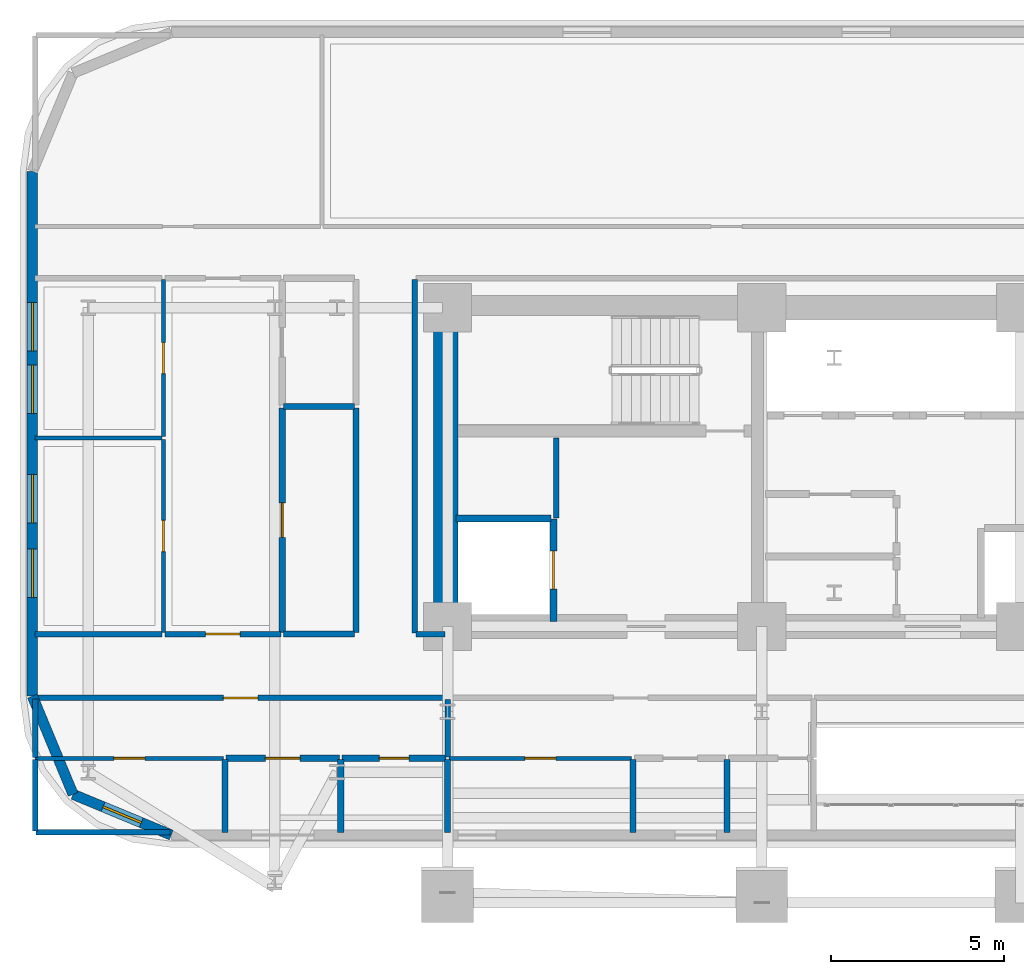
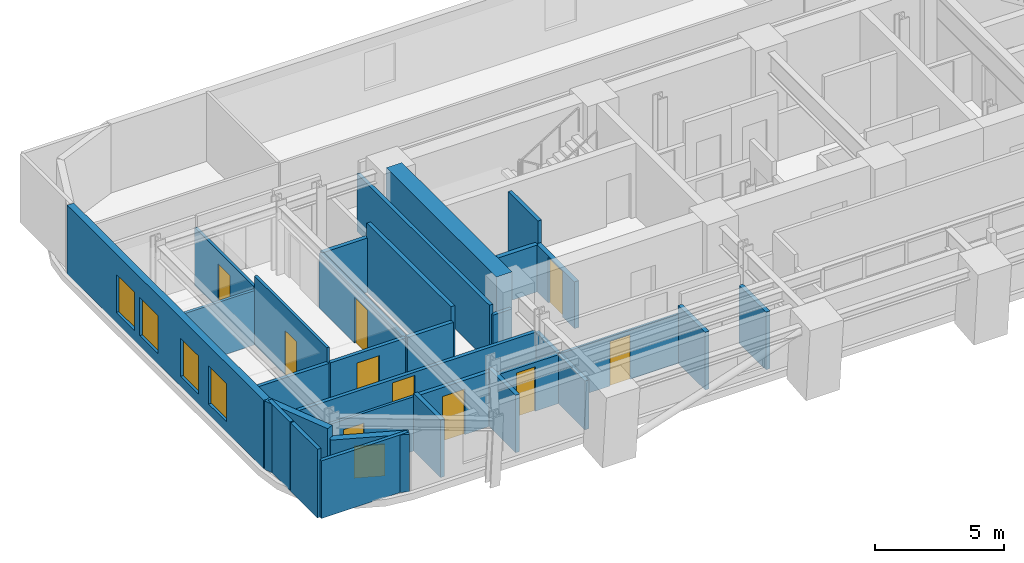
# One storey, part 7 of 15: 32 walls, 10 doors, 5 windows, 15 openings.
"""IFC4 building model written with IfcOpenShell, lengths in metres."""

import ifcopenshell
import ifcopenshell.guid

model = None  # the IFC model being written
_history = None  # IfcOwnerHistory: only IFC2X3 demands one
_inside = {}  # id of a spatial element -> (the spatial element, [elements in it])
_under = {}  # id of a project, library or spatial element -> (it, [spatial elements below it])
_declared = {}  # id of a project -> (the project, [libraries it declares])
_typed = {}  # id of a type object -> (the type object, [elements of that type])
_made_of = {}  # id of a material, layer set ... -> (it, [elements and type objects made of it])


def new_model(schema):
    """Start an empty IFC model of exactly this schema.

    Asked for "IFC4X3", IfcOpenShell would pick the latest addendum, in which some entities
    have other attributes; the version numbers below select the first issue.
    IFC2X3 requires an IfcOwnerHistory on every rooted entity: one is made here for all.
    """
    global model, _history
    if schema == "IFC4X3":
        model = ifcopenshell.file(schema_version=(4, 3, 0, 0))
    else:
        model = ifcopenshell.file(schema=schema)
    _inside.clear()
    _under.clear()
    _declared.clear()
    _typed.clear()
    _made_of.clear()
    _history = None
    if model.schema == "IFC2X3":
        org = make("IfcOrganization", Name="unknown")
        user = make(
            "IfcPersonAndOrganization",
            ThePerson=make("IfcPerson", FamilyName="unknown"),
            TheOrganization=org,
        )
        app = make(
            "IfcApplication",
            ApplicationDeveloper=org,
            Version="unknown",
            ApplicationFullName="unknown",
            ApplicationIdentifier="unknown",
        )
        _history = make(
            "IfcOwnerHistory",
            OwningUser=user,
            OwningApplication=app,
            ChangeAction="ADDED",
            CreationDate=0,
        )
    return model


def make(cls, **values):
    """One entity of the class cls with the attributes given. An attribute that is None is left unset."""
    return model.create_entity(
        cls, **{name: value for name, value in values.items() if value is not None}
    )


def rooted(cls, **values):
    """An entity with a GlobalId (a new one), such as an element, a storey or a relation."""
    return make(cls, GlobalId=ifcopenshell.guid.new(), OwnerHistory=_history, **values)


def si_unit(unit_type, name, prefix=None):
    """IfcSIUnit, for example si_unit("LENGTHUNIT", "METRE", prefix="MILLI")."""
    return make("IfcSIUnit", UnitType=unit_type, Prefix=prefix, Name=name)


def assignment(units):
    """IfcUnitAssignment: the units of a project."""
    return None if units is None else make("IfcUnitAssignment", Units=units)


def point(xyz):
    """IfcCartesianPoint."""
    return None if xyz is None else make("IfcCartesianPoint", Coordinates=xyz)


def direction(xyz):
    """IfcDirection."""
    return None if xyz is None else make("IfcDirection", DirectionRatios=xyz)


def frame(location, z_axis=None, x_axis=None):
    """IfcAxis2Placement3D, a coordinate frame: its origin and axes. An axis left out is left unset."""
    return make(
        "IfcAxis2Placement3D",
        Location=point(location),
        Axis=direction(z_axis),
        RefDirection=direction(x_axis),
    )


def frame_2d(location, x_axis=None):
    """IfcAxis2Placement2D, a coordinate frame in the plane: its origin and x axis."""
    return make(
        "IfcAxis2Placement2D", Location=point(location), RefDirection=direction(x_axis)
    )


def origin():
    """The frame at (0, 0, 0) with its axes left unset."""
    return frame((0.0, 0.0, 0.0))


def place(relative_to, where):
    """IfcLocalPlacement: puts the frame where relative to a parent placement (None: the world)."""
    return make(
        "IfcLocalPlacement", PlacementRelTo=relative_to, RelativePlacement=where
    )


def context(
    kind, dimensions, precision=None, world=None, true_north=None, identifier=None
):
    """IfcGeometricRepresentationContext, for example the 3D "Model" context."""
    return make(
        "IfcGeometricRepresentationContext",
        ContextIdentifier=identifier,
        ContextType=kind,
        CoordinateSpaceDimension=dimensions,
        Precision=precision,
        WorldCoordinateSystem=world,
        TrueNorth=true_north,
    )


def subcontext(parent, identifier, kind, view, scale=None):
    """IfcGeometricRepresentationSubContext, for example "Body" below "Model"."""
    return make(
        "IfcGeometricRepresentationSubContext",
        ContextIdentifier=identifier,
        ContextType=kind,
        ParentContext=parent,
        TargetScale=scale,
        TargetView=view,
    )


def project(units=None, contexts=None):
    """IfcProject with its units and contexts."""
    return rooted(
        "IfcProject",
        Name="project",
        RepresentationContexts=contexts,
        UnitsInContext=assignment(units),
    )


def spatial(cls, under=None, at=None, **own):
    """A site, building, storey or space (cls), placed at a placement, below another one or the project."""
    s = rooted(cls, ObjectPlacement=at, **own)
    if under is not None:
        _under.setdefault(under.id(), (under, []))[1].append(s)
    return s


def profile(cls, at=None, kind="AREA", **sizes):
    """A parametric profile (cls). Its sizes go by their IFC names, for example OverallWidth=200.0."""
    return make(cls, ProfileType=kind, Position=at, **sizes)


def rectangle(**sizes):
    """IfcRectangleProfileDef."""
    return profile("IfcRectangleProfileDef", **sizes)


def extrude(swept, where, along, depth):
    """IfcExtrudedAreaSolid: the profile swept, set in the frame where, extruded along a direction by depth."""
    return make(
        "IfcExtrudedAreaSolid",
        SweptArea=swept,
        Position=where,
        ExtrudedDirection=direction(along),
        Depth=depth,
    )


def shape(context_of_items, identifier, shape_type, items):
    """IfcShapeRepresentation: the items that make up one representation, for example the "Body"."""
    return make(
        "IfcShapeRepresentation",
        ContextOfItems=context_of_items,
        RepresentationIdentifier=identifier,
        RepresentationType=shape_type,
        Items=items,
    )


def material(Name=None, Category=None):
    """IfcMaterial."""
    return make("IfcMaterial", Name=Name, Category=Category)


def layer(
    of_material, thickness, ventilated=None, Name=None, Category=None, Priority=None
):
    """IfcMaterialLayer: one layer of a wall or slab, of a material (None: an air gap)."""
    return make(
        "IfcMaterialLayer",
        Material=of_material,
        LayerThickness=thickness,
        IsVentilated=ventilated,
        Name=Name,
        Category=Category,
        Priority=Priority,
    )


def layer_set(layers, Name=None):
    """IfcMaterialLayerSet."""
    return make("IfcMaterialLayerSet", MaterialLayers=layers, LayerSetName=Name)


def made_of(thing, what):
    """Note that an element or type object is made of a material, layer set ...; save() writes the relation."""
    if what is not None:
        _made_of.setdefault(what.id(), (what, []))[1].append(thing)
    return thing


def type_object(cls, material=None, **own):
    """A type object (cls), such as IfcWallType, which elements share."""
    return made_of(rooted(cls, **own), material)


def element(
    cls,
    number,
    at=None,
    inside=None,
    cuts=None,
    type_object=None,
    material=None,
    context=None,
    identifier="Body",
    shape_type=None,
    held_by="IfcProductDefinitionShape",
    body=None,
    shapes=None,
    **own,
):
    """One element of the class cls, such as IfcWall. Its Tag is "e" and its number.

    at: its placement. inside: the storey or other place that contains it. cuts: it is an
    opening in that element (IfcRelVoidsElement). A single representation is given by context,
    identifier, shape_type and body (its items); several are given by shapes. held_by: the class
    of the entity that holds the representations. save() writes the other relations.
    """
    e = rooted(cls, Tag="e%d" % number, ObjectPlacement=at, **own)
    if body is not None:
        shapes = [shape(context, identifier, shape_type, body)]
    if shapes is not None:
        e.Representation = make(held_by, Representations=shapes)
    if inside is not None:
        _inside.setdefault(inside.id(), (inside, []))[1].append(e)
    if cuts is not None:
        rooted(
            "IfcRelVoidsElement", RelatingBuildingElement=cuts, RelatedOpeningElement=e
        )
    if type_object is not None:
        _typed.setdefault(type_object.id(), (type_object, []))[1].append(e)
    return made_of(e, material)


def fill(opening, filler):
    """IfcRelFillsElement: the door or window that sits in an opening."""
    return rooted(
        "IfcRelFillsElement",
        RelatingOpeningElement=opening,
        RelatedBuildingElement=filler,
    )


def aggregate(whole, parts):
    """IfcRelAggregates: a whole, such as a stair, and the parts it consists of."""
    return rooted("IfcRelAggregates", RelatingObject=whole, RelatedObjects=parts)


def save(model, path):
    """Write the relations noted so far, then the file.

    IfcRelAggregates (storeys below a building ...), IfcRelContainedInSpatialStructure (elements
    in a storey), IfcRelDefinesByType, IfcRelAssociatesMaterial and IfcRelDeclares: one each for
    every whole, place, type object, material and project.
    """
    for whole, parts in _under.values():
        aggregate(whole, parts)
    for where, things in _inside.values():
        rooted(
            "IfcRelContainedInSpatialStructure",
            RelatedElements=things,
            RelatingStructure=where,
        )
    for kind, things in _typed.values():
        rooted("IfcRelDefinesByType", RelatedObjects=things, RelatingType=kind)
    for what, things in _made_of.values():
        rooted("IfcRelAssociatesMaterial", RelatedObjects=things, RelatingMaterial=what)
    for by, libraries in _declared.values():
        rooted("IfcRelDeclares", RelatingContext=by, RelatedDefinitions=libraries)
    model.write(path)


model = new_model("IFC4")

# Units and contexts
model_context = context("Model", 3, precision=1e-05, world=origin(), true_north=direction((0.0, 1.0)))
body_context = subcontext(model_context, "Body", "Model", "MODEL_VIEW")
ifc_project = project(units=[si_unit("LENGTHUNIT", "METRE"), si_unit("AREAUNIT", "SQUARE_METRE"), si_unit("VOLUMEUNIT", "CUBIC_METRE"), si_unit("PLANEANGLEUNIT", "RADIAN"), si_unit("MASSUNIT", "GRAM", prefix="KILO")], contexts=[model_context])

# Site, building, storey
site_placement = place(None, origin())
site = spatial("IfcSite", under=ifc_project, at=site_placement, CompositionType="ELEMENT")
building_placement = place(site_placement, origin())
building = spatial("IfcBuilding", under=site, at=building_placement, Name="Zarnavel Station Tower", CompositionType="ELEMENT")
storey_placement = place(building_placement, frame((0.0, 0.0, 67.5)))
storey = spatial("IfcBuildingStorey", under=building, at=storey_placement, Name="L18", CompositionType="ELEMENT", Elevation=67.5)

# Wall
ifc_material_1 = material(Name="Concrete C60/75", Category="concrete")
ifc_layer_1 = layer(ifc_material_1, 0.699951171875)
ifc_layer_set_1 = layer_set([ifc_layer_1], Name="CW_700")
wall_type_1 = type_object("IfcWallType", Name="CW_700", PredefinedType="SHEAR", material=ifc_layer_set_1)
wall_1_placement = place(storey_placement, frame((12.14990234375, 28.169921875, 0.0), z_axis=(0.0, 0.0, 1.0), x_axis=(0.0, 1.0, 0.0)))
element("IfcWall", 1, at=wall_1_placement, inside=storey, type_object=wall_type_1, Name="L18 Rear Core Shear Wall W", PredefinedType="SHEAR", context=body_context, shape_type="SweptSolid", body=[
    extrude(rectangle(XDim=8.530029296875, YDim=0.699951171875, at=frame_2d((4.26513671875, 0.0))), origin(), (0.0, 0.0, 1.0), 3.5),
])

# Wall, openings, windows
ifc_material_2 = material(Name="Precast concrete C45/55 (Dark Basalt Finish)", Category="masonry")
ifc_layer_2 = layer(ifc_material_2, 0.300048828125)
ifc_layer_set_2 = layer_set([ifc_layer_2], Name="EW_BASALT_300")
wall_type_2 = type_object("IfcWallType", Name="EW_BASALT_300", PredefinedType="SOLIDWALL", material=ifc_layer_set_2)
wall_2_placement = place(storey_placement, frame((0.179931640625, 25.800048828125, 0.0), z_axis=(0.0, 0.0, 1.0), x_axis=(0.0, 1.0, 0.0)))
wall_2 = element("IfcWall", 2, at=wall_2_placement, inside=storey, type_object=wall_type_2, Name="L18 Exterior Basalt Masonry Frame Wall 09", PredefinedType="SOLIDWALL", context=body_context, shape_type="SweptSolid", body=[
    extrude(rectangle(XDim=15.199951171875, YDim=0.300048828125, at=frame_2d((7.60009765625, 0.0))), origin(), (0.0, 0.0, 1.0), 3.239990234375),
])
opening_1_placement = place(wall_2_placement, frame((2.859619140625, 0.0, 0.47998046875)))
opening_1 = element("IfcOpeningElement", 3, at=opening_1_placement, cuts=wall_2, Name="Opening WN01", PredefinedType="OPENING", context=body_context, shape_type="SweptSolid", body=[
    extrude(rectangle(XDim=1.39990234375, YDim=1.800048828125, at=frame_2d((0.699951171875, 0.89990234375))), frame((0.0, 0.159912109375, 0.0), z_axis=(0.0, -1.0, 0.0), x_axis=(1.0, 0.0, 0.0)), (0.0, 0.0, 1.0), 0.320068359375),
])
opening_2_placement = place(wall_2_placement, frame((5.019287109375, 0.0, 0.47998046875)))
opening_2 = element("IfcOpeningElement", 4, at=opening_2_placement, cuts=wall_2, Name="Opening WN01", PredefinedType="OPENING", context=body_context, shape_type="SweptSolid", body=[
    extrude(rectangle(XDim=1.39990234375, YDim=1.800048828125, at=frame_2d((0.699951171875, 0.89990234375))), frame((0.0, 0.159912109375, 0.0), z_axis=(0.0, -1.0, 0.0), x_axis=(1.0, 0.0, 0.0)), (0.0, 0.0, 1.0), 0.320068359375),
])
opening_3_placement = place(wall_2_placement, frame((8.18603515625, 0.0, 0.47998046875)))
opening_3 = element("IfcOpeningElement", 5, at=opening_3_placement, cuts=wall_2, Name="Opening WN01", PredefinedType="OPENING", context=body_context, shape_type="SweptSolid", body=[
    extrude(rectangle(XDim=1.39990234375, YDim=1.800048828125, at=frame_2d((0.699951171875, 0.89990234375))), frame((0.0, 0.159912109375, 0.0), z_axis=(0.0, -1.0, 0.0), x_axis=(1.0, 0.0, 0.0)), (0.0, 0.0, 1.0), 0.320068359375),
])
opening_4_placement = place(wall_2_placement, frame((9.992919921875, 0.0, 0.47998046875)))
opening_4 = element("IfcOpeningElement", 6, at=opening_4_placement, cuts=wall_2, Name="Opening WN01", PredefinedType="OPENING", context=body_context, shape_type="SweptSolid", body=[
    extrude(rectangle(XDim=1.39990234375, YDim=1.800048828125, at=frame_2d((0.699951171875, 0.89990234375))), frame((0.0, 0.159912109375, 0.0), z_axis=(0.0, -1.0, 0.0), x_axis=(1.0, 0.0, 0.0)), (0.0, 0.0, 1.0), 0.320068359375),
])
ifc_material_3 = material(Name="Thermally Broken Black Aluminium and Low-E Dark Glass", Category="aluminium")
window_type_1 = type_object("IfcWindowType", Name="WN_1400x1800", PartitioningType="DOUBLE_PANEL_VERTICAL", PredefinedType="WINDOW", material=ifc_material_3)
window_1_placement = place(opening_1_placement, origin())
window_1 = element("IfcWindow", 7, at=window_1_placement, inside=storey, type_object=window_type_1, Name="L18 Recessed Facade Window 01", OverallHeight=1.800048828125, OverallWidth=1.39990234375, PartitioningType="SINGLE_PANEL", PredefinedType="WINDOW", context=body_context, shape_type="SweptSolid", body=[
    extrude(rectangle(XDim=1.39990234375, YDim=1.800048828125, at=frame_2d((0.699951171875, 0.89990234375))), frame((0.0, 0.030029296875, 0.0), z_axis=(0.0, -1.0, 0.0), x_axis=(1.0, 0.0, 0.0)), (0.0, 0.0, 1.0), 0.06005859375),
])
fill(opening_1, window_1)
window_2_placement = place(opening_2_placement, origin())
window_2 = element("IfcWindow", 8, at=window_2_placement, inside=storey, type_object=window_type_1, Name="L18 Recessed Facade Window 02", OverallHeight=1.800048828125, OverallWidth=1.39990234375, PartitioningType="SINGLE_PANEL", PredefinedType="WINDOW", context=body_context, shape_type="SweptSolid", body=[
    extrude(rectangle(XDim=1.39990234375, YDim=1.800048828125, at=frame_2d((0.699951171875, 0.89990234375))), frame((0.0, 0.030029296875, 0.0), z_axis=(0.0, -1.0, 0.0), x_axis=(1.0, 0.0, 0.0)), (0.0, 0.0, 1.0), 0.06005859375),
])
fill(opening_2, window_2)
window_3_placement = place(opening_3_placement, origin())
window_3 = element("IfcWindow", 9, at=window_3_placement, inside=storey, type_object=window_type_1, Name="L18 Recessed Facade Window 03", OverallHeight=1.800048828125, OverallWidth=1.39990234375, PartitioningType="SINGLE_PANEL", PredefinedType="WINDOW", context=body_context, shape_type="SweptSolid", body=[
    extrude(rectangle(XDim=1.39990234375, YDim=1.800048828125, at=frame_2d((0.699951171875, 0.89990234375))), frame((0.0, 0.030029296875, 0.0), z_axis=(0.0, -1.0, 0.0), x_axis=(1.0, 0.0, 0.0)), (0.0, 0.0, 1.0), 0.06005859375),
])
fill(opening_3, window_3)
window_4_placement = place(opening_4_placement, origin())
window_4 = element("IfcWindow", 10, at=window_4_placement, inside=storey, type_object=window_type_1, Name="L18 Recessed Facade Window 04", OverallHeight=1.800048828125, OverallWidth=1.39990234375, PartitioningType="SINGLE_PANEL", PredefinedType="WINDOW", context=body_context, shape_type="SweptSolid", body=[
    extrude(rectangle(XDim=1.39990234375, YDim=1.800048828125, at=frame_2d((0.699951171875, 0.89990234375))), frame((0.0, 0.030029296875, 0.0), z_axis=(0.0, -1.0, 0.0), x_axis=(1.0, 0.0, 0.0)), (0.0, 0.0, 1.0), 0.06005859375),
])
fill(opening_4, window_4)

# Wall
wall_3_placement = place(storey_placement, frame((1.357421875, 22.95751953125, 0.0), z_axis=(0.0, 0.0, 1.0), x_axis=(-0.382704529509, 0.923870793506, 0.0)))
element("IfcWall", 11, at=wall_3_placement, inside=storey, type_object=wall_type_2, Name="L18 Exterior Basalt Masonry Frame Wall 10", PredefinedType="SOLIDWALL", context=body_context, shape_type="SweptSolid", body=[
    extrude(rectangle(XDim=3.07666015625, YDim=0.300048828125, at=frame_2d((1.538330078125, 0.0))), origin(), (0.0, 0.0, 1.0), 3.239990234375),
])

# Wall, opening, window
wall_4_placement = place(storey_placement, frame((4.199951171875, 21.780029296875, 0.0), z_axis=(0.0, 0.0, 1.0), x_axis=(-0.923870793506, 0.382704529509, 0.0)))
wall_4 = element("IfcWall", 12, at=wall_4_placement, inside=storey, type_object=wall_type_2, Name="L18 Exterior Basalt Masonry Frame Wall 11", PredefinedType="SOLIDWALL", context=body_context, shape_type="SweptSolid", body=[
    extrude(rectangle(XDim=3.07666015625, YDim=0.300048828125, at=frame_2d((1.538330078125, 0.0))), origin(), (0.0, 0.0, 1.0), 2.719970703125),
])
opening_5_placement = place(wall_4_placement, frame((0.9384765625, 0.0, 0.75)))
opening_5 = element("IfcOpeningElement", 13, at=opening_5_placement, cuts=wall_4, Name="Opening WN08", PredefinedType="OPENING", context=body_context, shape_type="SweptSolid", body=[
    extrude(rectangle(XDim=1.199951171875, YDim=1.5, at=frame_2d((0.60009765625, 0.75))), frame((0.0, 0.159912109375, 0.0), z_axis=(0.0, -1.0, 0.0), x_axis=(1.0, 0.0, 0.0)), (0.0, 0.0, 1.0), 0.320068359375),
])
ifc_material_4 = material(Name="Thermally Broken Black Aluminium and Low-E Dark Glass", Category="aluminium")
window_type_2 = type_object("IfcWindowType", Name="WN_1200x1500", PartitioningType="SINGLE_PANEL", PredefinedType="WINDOW", material=ifc_material_4)
window_5_placement = place(opening_5_placement, origin())
window_5 = element("IfcWindow", 14, at=window_5_placement, inside=storey, type_object=window_type_2, Name="L18 Recessed Facade Window 01", OverallHeight=1.5, OverallWidth=1.199951171875, PartitioningType="SINGLE_PANEL", PredefinedType="WINDOW", context=body_context, shape_type="SweptSolid", body=[
    extrude(rectangle(XDim=1.199951171875, YDim=1.5, at=frame_2d((0.60009765625, 0.75))), frame((0.0, 0.030029296875, 0.0), z_axis=(0.0, -1.0, 0.0), x_axis=(1.0, 0.0, 0.0)), (0.0, 0.0, 1.0), 0.06005859375),
])
fill(opening_5, window_5)

# Wall, opening, door
ifc_material_5 = material(Name="Gypsum Twin-Stud Acoustic Fire Partition", Category="concrete")
ifc_layer_3 = layer(ifc_material_5, 0.159912109375)
ifc_layer_set_3 = layer_set([ifc_layer_3], Name="PT_DEMISE_160")
wall_type_3 = type_object("IfcWallType", Name="PT_DEMISE_160", PredefinedType="PARTITIONING", material=ifc_layer_set_3)
wall_5_placement = place(storey_placement, frame((4.01611328125, 27.60009765625, 0.0), z_axis=(0.0, 0.0, 1.0), x_axis=(1.0, 0.0, 0.0)))
wall_5 = element("IfcWall", 15, at=wall_5_placement, inside=storey, type_object=wall_type_3, Name="L18 Partition COR-S-FNWLV", PredefinedType="PARTITIONING", context=body_context, shape_type="SweptSolid", body=[
    extrude(rectangle(XDim=3.35693359375, YDim=0.159912109375, at=frame_2d((1.678466796875, 0.0))), origin(), (0.0, 0.0, 1.0), 2.570068359375),
])
opening_6_placement = place(wall_5_placement, frame((1.178466796875, 0.0, 0.0)))
opening_6 = element("IfcOpeningElement", 16, at=opening_6_placement, cuts=wall_5, Name="Opening FD02", PredefinedType="OPENING", context=body_context, shape_type="SweptSolid", body=[
    extrude(rectangle(XDim=1.0, YDim=2.14990234375, at=frame_2d((0.5, 1.074951171875))), frame((0.0, 0.08984375, 0.0), z_axis=(0.0, -1.0, 0.0), x_axis=(1.0, 0.0, 0.0)), (0.0, 0.0, 1.0), 0.179931640625),
])
ifc_material_6 = material(Name="Painted Galvanised Steel and Hardwood Leaf", Category="steel")
door_type_1 = type_object("IfcDoorType", Name="ID_ENTRY_1000", OperationType="NOTDEFINED", PredefinedType="DOOR", material=ifc_material_6)
door_1_placement = place(opening_6_placement, origin())
door_1 = element("IfcDoor", 17, at=door_1_placement, inside=storey, type_object=door_type_1, Name="L18 Door COR-S-FNWLV", OperationType="SINGLE_SWING_RIGHT", OverallHeight=2.14990234375, OverallWidth=1.0, PredefinedType="DOOR", context=body_context, shape_type="SweptSolid", body=[
    extrude(rectangle(XDim=1.0, YDim=2.14990234375, at=frame_2d((0.5, 1.074951171875))), frame((0.0, 0.02490234375, 0.0), z_axis=(0.0, -1.0, 0.0), x_axis=(1.0, 0.0, 0.0)), (0.0, 0.0, 1.0), 0.050048828125),
])
fill(opening_6, door_1)

# Wall
wall_6_placement = place(storey_placement, frame((0.260009765625, 27.60009765625, 0.0), z_axis=(0.0, 0.0, 1.0), x_axis=(1.0, 0.0, 0.0)))
element("IfcWall", 18, at=wall_6_placement, inside=storey, type_object=wall_type_3, Name="L18 Partition COR-S-FNWB1", PredefinedType="PARTITIONING", context=body_context, shape_type="SweptSolid", body=[
    extrude(rectangle(XDim=3.676025390625, YDim=0.159912109375, at=frame_2d((1.837890625, 0.0))), origin(), (0.0, 0.0, 1.0), 2.570068359375),
])

# Wall, opening, door
wall_7_placement = place(storey_placement, frame((0.260009765625, 25.75, 0.0), z_axis=(0.0, 0.0, 1.0), x_axis=(1.0, 0.0, 0.0)))
wall_7 = element("IfcWall", 19, at=wall_7_placement, inside=storey, type_object=wall_type_3, Name="L18 Partition COR-S-UW1LV", PredefinedType="PARTITIONING", context=body_context, shape_type="SweptSolid", body=[
    extrude(rectangle(XDim=11.89990234375, YDim=0.159912109375, at=frame_2d((5.949951171875, 0.0))), origin(), (0.0, 0.0, 1.0), 2.31005859375),
])
opening_7_placement = place(wall_7_placement, frame((5.449951171875, 0.0, 0.0)))
opening_7 = element("IfcOpeningElement", 20, at=opening_7_placement, cuts=wall_7, Name="Opening FD02", PredefinedType="OPENING", context=body_context, shape_type="SweptSolid", body=[
    extrude(rectangle(XDim=1.0, YDim=2.14990234375, at=frame_2d((0.5, 1.074951171875))), frame((0.0, 0.08984375, 0.0), z_axis=(0.0, -1.0, 0.0), x_axis=(1.0, 0.0, 0.0)), (0.0, 0.0, 1.0), 0.179931640625),
])
door_2_placement = place(opening_7_placement, origin())
door_2 = element("IfcDoor", 21, at=door_2_placement, inside=storey, type_object=door_type_1, Name="L18 Door COR-S-UW1LV", OperationType="SINGLE_SWING_RIGHT", OverallHeight=2.14990234375, OverallWidth=1.0, PredefinedType="DOOR", context=body_context, shape_type="SweptSolid", body=[
    extrude(rectangle(XDim=1.0, YDim=2.14990234375, at=frame_2d((0.5, 1.074951171875))), frame((0.0, 0.02490234375, 0.0), z_axis=(0.0, -1.0, 0.0), x_axis=(1.0, 0.0, 0.0)), (0.0, 0.0, 1.0), 0.050048828125),
])
fill(opening_7, door_2)

# Walls
wall_8_placement = place(storey_placement, frame((12.199951171875, 24.0400390625, 0.0), z_axis=(0.0, 0.0, 1.0), x_axis=(0.0, 1.0, 0.0)))
element("IfcWall", 22, at=wall_8_placement, inside=storey, type_object=wall_type_3, Name="L18 Partition UW1LV-UW2LV", PredefinedType="PARTITIONING", context=body_context, shape_type="SweptSolid", body=[
    extrude(rectangle(XDim=1.669921875, YDim=0.159912109375, at=frame_2d((0.8349609375, 0.0))), origin(), (0.0, 0.0, 1.0), 2.31005859375),
])
wall_9_placement = place(storey_placement, frame((15.35009765625, 30.9599609375, 0.0), z_axis=(0.0, 0.0, 1.0), x_axis=(0.0, 1.0, 0.0)))
element("IfcWall", 23, at=wall_9_placement, inside=storey, type_object=wall_type_3, Name="L18 Enclosure Wall FFL1", PredefinedType="PARTITIONING", context=body_context, shape_type="SweptSolid", body=[
    extrude(rectangle(XDim=2.31005859375, YDim=0.159912109375, at=frame_2d((1.155029296875, 0.0))), origin(), (0.0, 0.0, 1.0), 3.239990234375),
])
wall_10_placement = place(storey_placement, frame((11.280029296875, 27.60009765625, 0.0), z_axis=(0.0, 0.0, 1.0), x_axis=(1.0, 0.0, 0.0)))
element("IfcWall", 24, at=wall_10_placement, inside=storey, type_object=wall_type_3, Name="L18 Enclosure Wall COR-S", PredefinedType="PARTITIONING", context=body_context, shape_type="SweptSolid", body=[
    extrude(rectangle(XDim=0.840087890625, YDim=0.159912109375, at=frame_2d((0.419921875, 0.0))), origin(), (0.0, 0.0, 1.0), 2.280029296875),
])
wall_11_placement = place(storey_placement, frame((11.25, 27.6298828125, 0.0), z_axis=(0.0, 0.0, 1.0), x_axis=(0.0, 1.0, 0.0)))
element("IfcWall", 25, at=wall_11_placement, inside=storey, type_object=wall_type_3, Name="L18 Enclosure Wall COR-W", PredefinedType="PARTITIONING", context=body_context, shape_type="SweptSolid", body=[
    extrude(rectangle(XDim=10.240234375, YDim=0.159912109375, at=frame_2d((5.1201171875, 0.0))), origin(), (0.0, 0.0, 1.0), 2.719970703125),
])
wall_12_placement = place(storey_placement, frame((0.260009765625, 24.030029296875, 0.0), z_axis=(0.0, 0.0, 1.0), x_axis=(0.0, 1.0, 0.0)))
element("IfcWall", 26, at=wall_12_placement, inside=storey, type_object=wall_type_3, Name="L18 Enclosure Wall UW1LV", PredefinedType="PARTITIONING", context=body_context, shape_type="SweptSolid", body=[
    extrude(rectangle(XDim=1.68994140625, YDim=0.159912109375, at=frame_2d((0.844970703125, 0.0))), origin(), (0.0, 0.0, 1.0), 3.239990234375),
])
wall_13_placement = place(storey_placement, frame((0.2900390625, 21.860107421875, 0.0), z_axis=(0.0, 0.0, 1.0), x_axis=(1.0, 0.0, 0.0)))
element("IfcWall", 27, at=wall_13_placement, inside=storey, type_object=wall_type_3, Name="L18 Enclosure Wall UW1B1", PredefinedType="PARTITIONING", context=body_context, shape_type="SweptSolid", body=[
    extrude(rectangle(XDim=3.8798828125, YDim=0.159912109375, at=frame_2d((1.93994140625, 0.0))), origin(), (0.0, 0.0, 1.0), 2.719970703125),
])
wall_14_placement = place(storey_placement, frame((0.260009765625, 21.889892578125, 0.0), z_axis=(0.0, 0.0, 1.0), x_axis=(0.0, 1.0, 0.0)))
element("IfcWall", 28, at=wall_14_placement, inside=storey, type_object=wall_type_3, Name="L18 Enclosure Wall UW1B1", PredefinedType="PARTITIONING", context=body_context, shape_type="SweptSolid", body=[
    extrude(rectangle(XDim=2.080078125, YDim=0.159912109375, at=frame_2d((1.0400390625, 0.0))), origin(), (0.0, 0.0, 1.0), 3.239990234375),
])

# Wall, opening, door
ifc_material_7 = material(Name="Gypsum Metal-Stud Interior Partition", Category="concrete")
ifc_layer_4 = layer(ifc_material_7, 0.1201171875)
ifc_layer_set_4 = layer_set([ifc_layer_4], Name="PT_ROOM_120")
wall_type_4 = type_object("IfcWallType", Name="PT_ROOM_120", PredefinedType="PARTITIONING", material=ifc_layer_set_4)
wall_15_placement = place(storey_placement, frame((3.97607421875, 27.639892578125, 0.0), z_axis=(0.0, 0.0, 1.0), x_axis=(0.0, 1.0, 0.0)))
wall_15 = element("IfcWall", 29, at=wall_15_placement, inside=storey, type_object=wall_type_4, Name="L18 Partition FNWLV-FNWB1", PredefinedType="PARTITIONING", context=body_context, shape_type="SweptSolid", body=[
    extrude(rectangle(XDim=5.59912109375, YDim=0.1201171875, at=frame_2d((2.799560546875, 0.0))), origin(), (0.0, 0.0, 1.0), 3.239990234375),
])
opening_8_placement = place(wall_15_placement, frame((2.349609375, 0.0, 0.0)))
opening_8 = element("IfcOpeningElement", 30, at=opening_8_placement, cuts=wall_15, Name="Opening ID01", PredefinedType="OPENING", context=body_context, shape_type="SweptSolid", body=[
    extrude(rectangle(XDim=0.89990234375, YDim=2.10009765625, at=frame_2d((0.449951171875, 1.050048828125))), frame((0.0, 0.070068359375, 0.0), z_axis=(0.0, -1.0, 0.0), x_axis=(1.0, 0.0, 0.0)), (0.0, 0.0, 1.0), 0.14013671875),
])
ifc_material_8 = material(Name="Painted Galvanised Steel and Hardwood Leaf", Category="steel")
door_type_2 = type_object("IfcDoorType", Name="ID_ROOM_900", OperationType="NOTDEFINED", PredefinedType="DOOR", material=ifc_material_8)
door_3_placement = place(opening_8_placement, origin())
door_3 = element("IfcDoor", 31, at=door_3_placement, inside=storey, type_object=door_type_2, Name="L18 Door FNWLV-FNWB1", OperationType="SINGLE_SWING_LEFT", OverallHeight=2.10009765625, OverallWidth=0.89990234375, PredefinedType="DOOR", context=body_context, shape_type="SweptSolid", body=[
    extrude(rectangle(XDim=0.89990234375, YDim=2.10009765625, at=frame_2d((0.449951171875, 1.050048828125))), frame((0.0, 0.02490234375, 0.0), z_axis=(0.0, -1.0, 0.0), x_axis=(1.0, 0.0, 0.0)), (0.0, 0.0, 1.0), 0.050048828125),
])
fill(opening_8, door_3)

wall_16_placement = place(storey_placement, frame((3.97607421875, 33.319091796875, 0.0), z_axis=(0.0, 0.0, 1.0), x_axis=(0.0, 1.0, 0.0)))
wall_16 = element("IfcWall", 32, at=wall_16_placement, inside=storey, type_object=wall_type_4, Name="L18 Partition FNWLV-FNWB2", PredefinedType="PARTITIONING", context=body_context, shape_type="SweptSolid", body=[
    extrude(rectangle(XDim=4.541015625, YDim=0.1201171875, at=frame_2d((2.2705078125, 0.0))), origin(), (0.0, 0.0, 1.0), 2.719970703125),
])
opening_9_placement = place(wall_16_placement, frame((1.820556640625, 0.0, 0.0)))
opening_9 = element("IfcOpeningElement", 33, at=opening_9_placement, cuts=wall_16, Name="Opening ID01", PredefinedType="OPENING", context=body_context, shape_type="SweptSolid", body=[
    extrude(rectangle(XDim=0.89990234375, YDim=2.10009765625, at=frame_2d((0.449951171875, 1.050048828125))), frame((0.0, 0.070068359375, 0.0), z_axis=(0.0, -1.0, 0.0), x_axis=(1.0, 0.0, 0.0)), (0.0, 0.0, 1.0), 0.14013671875),
])
door_4_placement = place(opening_9_placement, origin())
door_4 = element("IfcDoor", 34, at=door_4_placement, inside=storey, type_object=door_type_2, Name="L18 Door FNWLV-FNWB2", OperationType="SINGLE_SWING_RIGHT", OverallHeight=2.10009765625, OverallWidth=0.89990234375, PredefinedType="DOOR", context=body_context, shape_type="SweptSolid", body=[
    extrude(rectangle(XDim=0.89990234375, YDim=2.10009765625, at=frame_2d((0.449951171875, 1.050048828125))), frame((0.0, 0.02490234375, 0.0), z_axis=(0.0, -1.0, 0.0), x_axis=(1.0, 0.0, 0.0)), (0.0, 0.0, 1.0), 0.050048828125),
])
fill(opening_9, door_4)

# Wall
wall_17_placement = place(storey_placement, frame((0.260009765625, 33.279052734375, 0.0), z_axis=(0.0, 0.0, 1.0), x_axis=(1.0, 0.0, 0.0)))
element("IfcWall", 35, at=wall_17_placement, inside=storey, type_object=wall_type_4, Name="L18 Partition FNWB1-FNWB2", PredefinedType="PARTITIONING", context=body_context, shape_type="SweptSolid", body=[
    extrude(rectangle(XDim=3.676025390625, YDim=0.1201171875, at=frame_2d((1.837890625, 0.0))), origin(), (0.0, 0.0, 1.0), 2.570068359375),
])

# Wall, opening, door
wall_18_placement = place(storey_placement, frame((0.260009765625, 24.0, 0.0), z_axis=(0.0, 0.0, 1.0), x_axis=(1.0, 0.0, 0.0)))
wall_18 = element("IfcWall", 36, at=wall_18_placement, inside=storey, type_object=wall_type_4, Name="L18 Partition UW1LV-UW1B1", PredefinedType="PARTITIONING", context=body_context, shape_type="SweptSolid", body=[
    extrude(rectangle(XDim=5.451904296875, YDim=0.1201171875, at=frame_2d((2.72607421875, 0.0))), origin(), (0.0, 0.0, 1.0), 2.570068359375),
])
opening_10_placement = place(wall_18_placement, frame((2.27587890625, 0.0, 0.0)))
opening_10 = element("IfcOpeningElement", 37, at=opening_10_placement, cuts=wall_18, Name="Opening ID01", PredefinedType="OPENING", context=body_context, shape_type="SweptSolid", body=[
    extrude(rectangle(XDim=0.89990234375, YDim=2.10009765625, at=frame_2d((0.449951171875, 1.050048828125))), frame((0.0, 0.070068359375, 0.0), z_axis=(0.0, -1.0, 0.0), x_axis=(1.0, 0.0, 0.0)), (0.0, 0.0, 1.0), 0.14013671875),
])
door_5_placement = place(opening_10_placement, origin())
door_5 = element("IfcDoor", 38, at=door_5_placement, inside=storey, type_object=door_type_2, Name="L18 Door UW1LV-UW1B1", OperationType="SINGLE_SWING_LEFT", OverallHeight=2.10009765625, OverallWidth=0.89990234375, PredefinedType="DOOR", context=body_context, shape_type="SweptSolid", body=[
    extrude(rectangle(XDim=0.89990234375, YDim=2.10009765625, at=frame_2d((0.449951171875, 1.050048828125))), frame((0.0, 0.02490234375, 0.0), z_axis=(0.0, -1.0, 0.0), x_axis=(1.0, 0.0, 0.0)), (0.0, 0.0, 1.0), 0.050048828125),
])
fill(opening_10, door_5)

wall_19_placement = place(storey_placement, frame((12.239990234375, 24.0, 0.0), z_axis=(0.0, 0.0, 1.0), x_axis=(1.0, 0.0, 0.0)))
wall_19 = element("IfcWall", 39, at=wall_19_placement, inside=storey, type_object=wall_type_4, Name="L18 Partition UW2LV-UW2B1", PredefinedType="PARTITIONING", context=body_context, shape_type="SweptSolid", body=[
    extrude(rectangle(XDim=5.2939453125, YDim=0.1201171875, at=frame_2d((2.64697265625, 0.0))), origin(), (0.0, 0.0, 1.0), 2.31005859375),
])
opening_11_placement = place(wall_19_placement, frame((2.197021484375, 0.0, 0.0)))
opening_11 = element("IfcOpeningElement", 40, at=opening_11_placement, cuts=wall_19, Name="Opening ID01", PredefinedType="OPENING", context=body_context, shape_type="SweptSolid", body=[
    extrude(rectangle(XDim=0.89990234375, YDim=2.10009765625, at=frame_2d((0.449951171875, 1.050048828125))), frame((0.0, 0.070068359375, 0.0), z_axis=(0.0, -1.0, 0.0), x_axis=(1.0, 0.0, 0.0)), (0.0, 0.0, 1.0), 0.14013671875),
])
door_6_placement = place(opening_11_placement, origin())
door_6 = element("IfcDoor", 41, at=door_6_placement, inside=storey, type_object=door_type_2, Name="L18 Door UW2LV-UW2B1", OperationType="SINGLE_SWING_RIGHT", OverallHeight=2.10009765625, OverallWidth=0.89990234375, PredefinedType="DOOR", context=body_context, shape_type="SweptSolid", body=[
    extrude(rectangle(XDim=0.89990234375, YDim=2.10009765625, at=frame_2d((0.449951171875, 1.050048828125))), frame((0.0, 0.02490234375, 0.0), z_axis=(0.0, -1.0, 0.0), x_axis=(1.0, 0.0, 0.0)), (0.0, 0.0, 1.0), 0.050048828125),
])
fill(opening_11, door_6)

ifc_material_9 = material(Name="Precast concrete C45/55 (Fire Shaft Blockwork)", Category="masonry")
ifc_layer_5 = layer(ifc_material_9, 0.199951171875)
ifc_layer_set_5 = layer_set([ifc_layer_5], Name="PT_SHAFT_200")
wall_type_5 = type_object("IfcWallType", Name="PT_SHAFT_200", PredefinedType="PARTITIONING", material=ifc_layer_set_5)
wall_20_placement = place(storey_placement, frame((15.27001953125, 27.969970703125, 0.0), z_axis=(0.0, 0.0, 1.0), x_axis=(0.0, 1.0, 0.0)))
wall_20 = element("IfcWall", 42, at=wall_20_placement, inside=storey, type_object=wall_type_5, Name="L18 Lift FFL-01 Shaft Front Wall", PredefinedType="PARTITIONING", context=body_context, shape_type="SweptSolid", body=[
    extrude(rectangle(XDim=2.9599609375, YDim=0.199951171875, at=frame_2d((1.47998046875, 0.0))), origin(), (0.0, 0.0, 1.0), 2.2119140625),
])
opening_12_placement = place(wall_20_placement, frame((0.929931640625, 0.0, 0.0)))
opening_12 = element("IfcOpeningElement", 43, at=opening_12_placement, cuts=wall_20, Name="Opening LD01", PredefinedType="OPENING", context=body_context, shape_type="SweptSolid", body=[
    extrude(rectangle(XDim=1.10009765625, YDim=2.14990234375, at=frame_2d((0.550048828125, 1.074951171875))), frame((0.0, 0.10986328125, 0.0), z_axis=(0.0, -1.0, 0.0), x_axis=(1.0, 0.0, 0.0)), (0.0, 0.0, 1.0), 0.219970703125),
])
ifc_material_10 = material(Name="Painted Galvanised Steel and Hardwood Leaf", Category="steel")
door_type_3 = type_object("IfcDoorType", Name="LD_FF_1100", OperationType="DOUBLE_DOOR_SLIDING", PredefinedType="DOOR", material=ifc_material_10)
door_7_placement = place(opening_12_placement, origin())
door_7 = element("IfcDoor", 44, at=door_7_placement, inside=storey, type_object=door_type_3, Name="L18 Lift FFL-01 Sliding Landing Door", OperationType="DOUBLE_DOOR_SLIDING", OverallHeight=2.14990234375, OverallWidth=1.10009765625, PredefinedType="DOOR", context=body_context, shape_type="SweptSolid", body=[
    extrude(rectangle(XDim=1.10009765625, YDim=2.14990234375, at=frame_2d((0.550048828125, 1.074951171875))), frame((0.0, 0.02490234375, 0.0), z_axis=(0.0, -1.0, 0.0), x_axis=(1.0, 0.0, 0.0)), (0.0, 0.0, 1.0), 0.050048828125),
])
fill(opening_12, door_7)

# Walls
wall_21_placement = place(storey_placement, frame((12.449951171875, 30.949951171875, 0.0), z_axis=(0.0, 0.0, 1.0), x_axis=(1.0, 0.0, 0.0)))
element("IfcWall", 45, at=wall_21_placement, inside=storey, type_object=wall_type_5, Name="L18 Lift FFL-01 North Shaft Wall", PredefinedType="PARTITIONING", context=body_context, shape_type="SweptSolid", body=[
    extrude(rectangle(XDim=2.75, YDim=0.199951171875, at=frame_2d((1.375, 0.0))), origin(), (0.0, 0.0, 1.0), 2.2119140625),
])
ifc_material_11 = material(Name="Moisture-Resistant Plumbing Chase Wall", Category="concrete")
ifc_layer_6 = layer(ifc_material_11, 0.179931640625)
ifc_layer_set_6 = layer_set([ifc_layer_6], Name="PW_PLUMB_180")
wall_type_6 = type_object("IfcWallType", Name="PW_PLUMB_180", PredefinedType="PLUMBINGWALL", material=ifc_layer_set_6)
wall_22_placement = place(storey_placement, frame((7.452880859375, 27.60009765625, 0.0), z_axis=(0.0, 0.0, 1.0), x_axis=(1.0, 0.0, 0.0)))
element("IfcWall", 46, at=wall_22_placement, inside=storey, type_object=wall_type_6, Name="L18 Partition COR-S-FNWKT", PredefinedType="PLUMBINGWALL", context=body_context, shape_type="SweptSolid", body=[
    extrude(rectangle(XDim=2.05712890625, YDim=0.179931640625, at=frame_2d((1.028564453125, 0.0))), origin(), (0.0, 0.0, 1.0), 2.570068359375),
])
wall_23_placement = place(storey_placement, frame((9.550048828125, 27.639892578125, 0.0), z_axis=(0.0, 0.0, 1.0), x_axis=(0.0, 1.0, 0.0)))
element("IfcWall", 47, at=wall_23_placement, inside=storey, type_object=wall_type_6, Name="L18 Partition COR-W-FNWKT", PredefinedType="PLUMBINGWALL", context=body_context, shape_type="SweptSolid", body=[
    extrude(rectangle(XDim=6.51220703125, YDim=0.179931640625, at=frame_2d((3.256103515625, 0.0))), origin(), (0.0, 0.0, 1.0), 3.239990234375),
])

# Wall, opening, door
wall_24_placement = place(storey_placement, frame((7.4130859375, 27.639892578125, 0.0), z_axis=(0.0, 0.0, 1.0), x_axis=(0.0, 1.0, 0.0)))
wall_24 = element("IfcWall", 48, at=wall_24_placement, inside=storey, type_object=wall_type_6, Name="L18 Partition FNWLV-FNWKT", PredefinedType="PLUMBINGWALL", context=body_context, shape_type="SweptSolid", body=[
    extrude(rectangle(XDim=6.51220703125, YDim=0.179931640625, at=frame_2d((3.256103515625, 0.0))), origin(), (0.0, 0.0, 1.0), 2.570068359375),
])
opening_13_placement = place(wall_24_placement, frame((2.756103515625, 0.0, 0.0)))
opening_13 = element("IfcOpeningElement", 49, at=opening_13_placement, cuts=wall_24, Name="Opening FD02", PredefinedType="OPENING", context=body_context, shape_type="SweptSolid", body=[
    extrude(rectangle(XDim=1.0, YDim=2.14990234375, at=frame_2d((0.5, 1.074951171875))), frame((0.0, 0.099853515625, 0.0), z_axis=(0.0, -1.0, 0.0), x_axis=(1.0, 0.0, 0.0)), (0.0, 0.0, 1.0), 0.199951171875),
])
door_8_placement = place(opening_13_placement, origin())
door_8 = element("IfcDoor", 50, at=door_8_placement, inside=storey, type_object=door_type_1, Name="L18 Door FNWLV-FNWKT", OperationType="SINGLE_SWING_LEFT", OverallHeight=2.14990234375, OverallWidth=1.0, PredefinedType="DOOR", context=body_context, shape_type="SweptSolid", body=[
    extrude(rectangle(XDim=1.0, YDim=2.14990234375, at=frame_2d((0.5, 1.074951171875))), frame((0.0, 0.02490234375, 0.0), z_axis=(0.0, -1.0, 0.0), x_axis=(1.0, 0.0, 0.0)), (0.0, 0.0, 1.0), 0.050048828125),
])
fill(opening_13, door_8)

# Wall
wall_25_placement = place(storey_placement, frame((7.452880859375, 34.19189453125, 0.0), z_axis=(0.0, 0.0, 1.0), x_axis=(1.0, 0.0, 0.0)))
element("IfcWall", 51, at=wall_25_placement, inside=storey, type_object=wall_type_6, Name="L18 Partition FNWKT-FNWBA", PredefinedType="PLUMBINGWALL", context=body_context, shape_type="SweptSolid", body=[
    extrude(rectangle(XDim=2.05712890625, YDim=0.179931640625, at=frame_2d((1.028564453125, 0.0))), origin(), (0.0, 0.0, 1.0), 2.570068359375),
])

# Wall, opening, door
wall_26_placement = place(storey_placement, frame((5.7919921875, 24.0, 0.0), z_axis=(0.0, 0.0, 1.0), x_axis=(1.0, 0.0, 0.0)))
wall_26 = element("IfcWall", 52, at=wall_26_placement, inside=storey, type_object=wall_type_6, Name="L18 Partition UW1LV-UW1KT", PredefinedType="PLUMBINGWALL", context=body_context, shape_type="SweptSolid", body=[
    extrude(rectangle(XDim=3.27294921875, YDim=0.179931640625, at=frame_2d((1.636474609375, 0.0))), origin(), (0.0, 0.0, 1.0), 2.570068359375),
])
opening_14_placement = place(wall_26_placement, frame((1.136474609375, 0.0, 0.0)))
opening_14 = element("IfcOpeningElement", 53, at=opening_14_placement, cuts=wall_26, Name="Opening FD02", PredefinedType="OPENING", context=body_context, shape_type="SweptSolid", body=[
    extrude(rectangle(XDim=1.0, YDim=2.14990234375, at=frame_2d((0.5, 1.074951171875))), frame((0.0, 0.099853515625, 0.0), z_axis=(0.0, -1.0, 0.0), x_axis=(1.0, 0.0, 0.0)), (0.0, 0.0, 1.0), 0.199951171875),
])
door_9_placement = place(opening_14_placement, origin())
door_9 = element("IfcDoor", 54, at=door_9_placement, inside=storey, type_object=door_type_1, Name="L18 Door UW1LV-UW1KT", OperationType="SINGLE_SWING_RIGHT", OverallHeight=2.14990234375, OverallWidth=1.0, PredefinedType="DOOR", context=body_context, shape_type="SweptSolid", body=[
    extrude(rectangle(XDim=1.0, YDim=2.14990234375, at=frame_2d((0.5, 1.074951171875))), frame((0.0, 0.02490234375, 0.0), z_axis=(0.0, -1.0, 0.0), x_axis=(1.0, 0.0, 0.0)), (0.0, 0.0, 1.0), 0.050048828125),
])
fill(opening_14, door_9)

wall_27_placement = place(storey_placement, frame((9.14501953125, 24.0, 0.0), z_axis=(0.0, 0.0, 1.0), x_axis=(1.0, 0.0, 0.0)))
wall_27 = element("IfcWall", 55, at=wall_27_placement, inside=storey, type_object=wall_type_6, Name="L18 Partition UW1LV-UW1BA", PredefinedType="PLUMBINGWALL", context=body_context, shape_type="SweptSolid", body=[
    extrude(rectangle(XDim=3.014892578125, YDim=0.179931640625, at=frame_2d((1.50732421875, 0.0))), origin(), (0.0, 0.0, 1.0), 2.31005859375),
])
opening_15_placement = place(wall_27_placement, frame((1.08251953125, 0.0, 0.0)))
opening_15 = element("IfcOpeningElement", 56, at=opening_15_placement, cuts=wall_27, Name="Opening ID02", PredefinedType="OPENING", context=body_context, shape_type="SweptSolid", body=[
    extrude(rectangle(XDim=0.85009765625, YDim=2.10009765625, at=frame_2d((0.425048828125, 1.050048828125))), frame((0.0, 0.099853515625, 0.0), z_axis=(0.0, -1.0, 0.0), x_axis=(1.0, 0.0, 0.0)), (0.0, 0.0, 1.0), 0.199951171875),
])
ifc_material_12 = material(Name="Painted Galvanised Steel and Hardwood Leaf", Category="steel")
door_type_4 = type_object("IfcDoorType", Name="ID_BATH_850", OperationType="NOTDEFINED", PredefinedType="DOOR", material=ifc_material_12)
door_10_placement = place(opening_15_placement, origin())
door_10 = element("IfcDoor", 57, at=door_10_placement, inside=storey, type_object=door_type_4, Name="L18 Door UW1LV-UW1BA", OperationType="SINGLE_SWING_LEFT", OverallHeight=2.10009765625, OverallWidth=0.85009765625, PredefinedType="DOOR", context=body_context, shape_type="SweptSolid", body=[
    extrude(rectangle(XDim=0.85009765625, YDim=2.10009765625, at=frame_2d((0.425048828125, 1.050048828125))), frame((0.0, 0.02490234375, 0.0), z_axis=(0.0, -1.0, 0.0), x_axis=(1.0, 0.0, 0.0)), (0.0, 0.0, 1.0), 0.050048828125),
])
fill(opening_15, door_10)

# Walls
for number, where, z_axis, x_axis, name in (
    (58, (5.751953125, 21.860107421875, 0.0), (0.0, 0.0, 1.0), (0.0, 1.0, 0.0), "L18 Partition UW1B1-UW1KT"),
    (59, (9.10498046875, 21.860107421875, 0.0), (0.0, 0.0, 1.0), (0.0, 1.0, 0.0), "L18 Partition UW1KT-UW1BA"),
):
    element("IfcWall", number, at=place(storey_placement, frame(where, z_axis=z_axis, x_axis=x_axis)), inside=storey, type_object=wall_type_6, Name=name, PredefinedType="PLUMBINGWALL", context=body_context, shape_type="SweptSolid", body=[
        extrude(rectangle(XDim=2.099853515625, YDim=0.179931640625, at=frame_2d((1.0498046875, 0.0))), origin(), (0.0, 0.0, 1.0), 2.719970703125),
    ])
wall_28_placement = place(storey_placement, frame((12.199951171875, 21.860107421875, 0.0), z_axis=(0.0, 0.0, 1.0), x_axis=(0.0, 1.0, 0.0)))
element("IfcWall", 60, at=wall_28_placement, inside=storey, type_object=wall_type_6, Name="L18 Partition UW1BA-UW2B1", PredefinedType="PLUMBINGWALL", context=body_context, shape_type="SweptSolid", body=[
    extrude(rectangle(XDim=2.099853515625, YDim=0.179931640625, at=frame_2d((1.0498046875, 0.0))), origin(), (0.0, 0.0, 1.0), 2.31005859375),
])
for number, where, z_axis, x_axis, name in (
    (61, (17.573974609375, 21.860107421875, 0.0), (0.0, 0.0, 1.0), (0.0, 1.0, 0.0), "L18 Partition UW2B1-UW2KT"),
    (62, (20.2919921875, 21.860107421875, 0.0), (0.0, 0.0, 1.0), (0.0, 1.0, 0.0), "L18 Partition UW2KT-UW2BA"),
):
    element("IfcWall", number, at=place(storey_placement, frame(where, z_axis=z_axis, x_axis=x_axis)), inside=storey, type_object=wall_type_6, Name=name, PredefinedType="PLUMBINGWALL", context=body_context, shape_type="SweptSolid", body=[
        extrude(rectangle(XDim=2.099853515625, YDim=0.179931640625, at=frame_2d((1.0498046875, 0.0))), origin(), (0.0, 0.0, 1.0), 2.72998046875),
    ])

save(model, "model.ifc")
